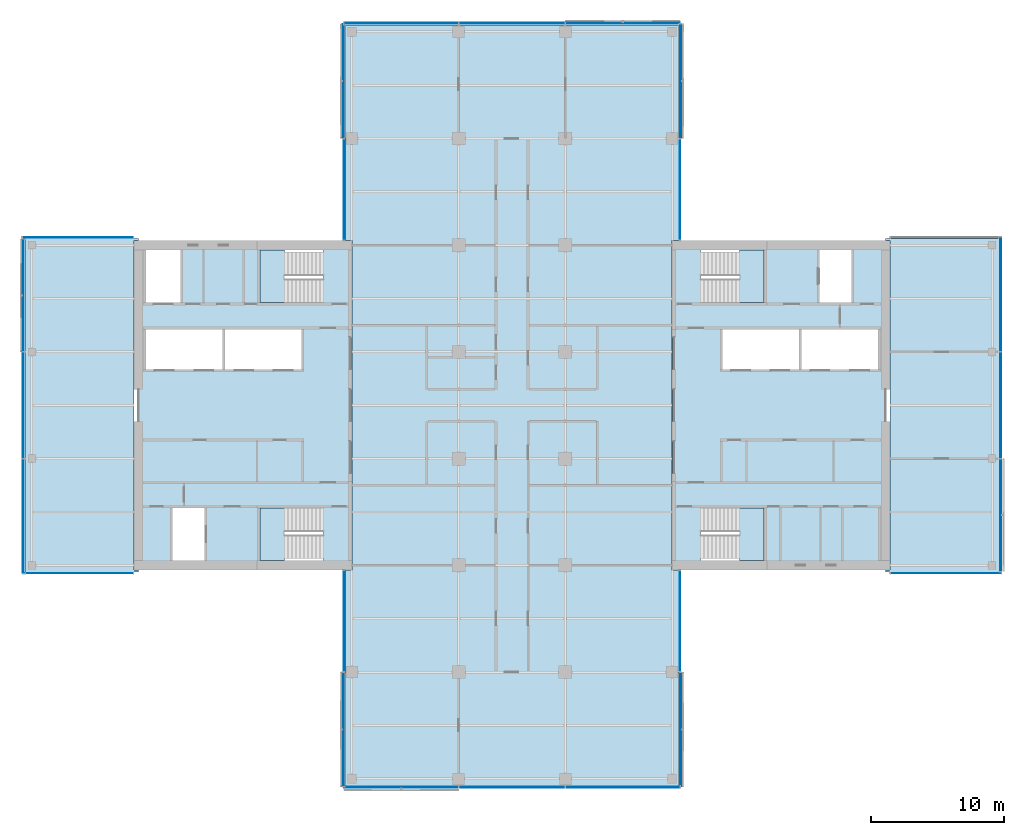
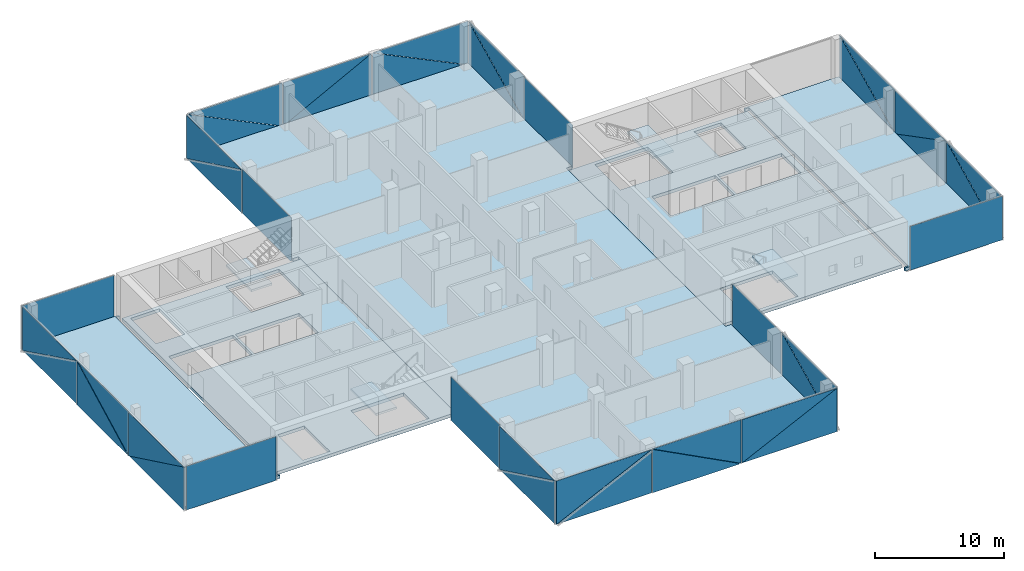
# One storey, part 12 of 22: 39 plates, 9 slabs, 19 elements without a shape of their own.
"""IFC4 building model written with IfcOpenShell, lengths in metres."""

from ifc_helpers import new_model, si_unit, direction, frame, origin, place, context, subcontext, project, spatial, polyline, outline, extrude, material, layer, layer_set, type_object, element, aggregate, save


model = new_model("IFC4")

# Units and contexts
model_context = context("Model", 3, precision=1e-05, world=origin(), true_north=direction((0.0, 1.0)))
body_context = subcontext(model_context, "Body", "Model", "MODEL_VIEW")
ifc_project = project(units=[si_unit("LENGTHUNIT", "METRE"), si_unit("AREAUNIT", "SQUARE_METRE"), si_unit("VOLUMEUNIT", "CUBIC_METRE"), si_unit("PLANEANGLEUNIT", "RADIAN"), si_unit("MASSUNIT", "GRAM", prefix="KILO")], contexts=[model_context])

# Site, building, storey
site_placement = place(None, origin())
site = spatial("IfcSite", under=ifc_project, at=site_placement, CompositionType="ELEMENT")
building_placement = place(site_placement, origin())
building = spatial("IfcBuilding", under=site, at=building_placement, Name="Crosswind Convention Tower", CompositionType="ELEMENT")
storey_placement = place(building_placement, frame((0.0, 0.0, 137.89990234375)))
storey = spatial("IfcBuildingStorey", under=building, at=storey_placement, Name="L28", CompositionType="ELEMENT", Elevation=137.89990234375)

# Slabs
ifc_material_1 = material(Name="Concrete C40/50", Category="concrete")
ifc_layer_1 = layer(ifc_material_1, 0.300048828125)
ifc_layer_set_1 = layer_set([ifc_layer_1], Name="Concrete C40/50")
slab_type_1 = type_object("IfcSlabType", Name="Composite floor slab 300", PredefinedType="FLOOR", material=ifc_layer_set_1)
slab_1_placement = place(storey_placement, frame((0.0, 0.0, -0.2998046875)))
element("IfcSlab", 1, at=slab_1_placement, inside=storey, type_object=slab_type_1, Name="Floor slab L28 part 1", PredefinedType="FLOOR", context=body_context, shape_type="SweptSolid", body=[
    extrude(outline(polyline([(97.0, 87.5), (89.0, 87.5), (88.5, 87.5), (88.5, 88.0), (88.5, 112.0), (88.5, 112.5), (89.0, 112.5), (97.0, 112.5), (97.0, 112.35009765625), (96.64990234375, 112.35009765625), (96.64990234375, 87.64990234375), (97.0, 87.64990234375), (97.0, 87.5)])), origin(), (0.0, 0.0, 1.0), 0.2998046875),
])
slab_2_placement = place(storey_placement, frame((0.0, 0.0, -0.2998046875)))
element("IfcSlab", 2, at=slab_2_placement, inside=storey, type_object=slab_type_1, Name="Floor slab L28 part 2", PredefinedType="FLOOR", context=body_context, shape_type="SweptSolid", body=[
    extrude(outline(polyline([(112.5, 87.64990234375), (113.0, 87.64990234375), (113.0, 112.35009765625), (112.5, 112.35009765625), (112.5, 128.0), (112.5, 128.5), (113.0, 128.5), (137.0, 128.5), (137.5, 128.5), (137.5, 128.0), (137.5, 112.35009765625), (137.0, 112.35009765625), (137.0, 87.64990234375), (137.5, 87.64990234375), (137.5, 72.0), (137.5, 71.5), (137.0, 71.5), (113.0, 71.5), (112.5, 71.5), (112.5, 72.0), (112.5, 87.64990234375)])), origin(), (0.0, 0.0, 1.0), 0.2998046875),
])
slab_3_placement = place(storey_placement, frame((0.0, 0.0, -0.2998046875)))
element("IfcSlab", 3, at=slab_3_placement, inside=storey, type_object=slab_type_1, Name="Floor slab L28 part 3", PredefinedType="FLOOR", context=body_context, shape_type="SweptSolid", body=[
    extrude(outline(polyline([(153.0, 112.5), (161.0, 112.5), (161.5, 112.5), (161.5, 112.0), (161.5, 88.0), (161.5, 87.5), (161.0, 87.5), (153.0, 87.5), (153.0, 87.64990234375), (153.35009765625, 87.64990234375), (153.35009765625, 112.35009765625), (153.0, 112.35009765625), (153.0, 112.5)])), origin(), (0.0, 0.0, 1.0), 0.2998046875),
])
ifc_layer_2 = layer(ifc_material_1, 0.300048828125)
ifc_layer_set_2 = layer_set([ifc_layer_2], Name="Concrete C40/50")
slab_type_2 = type_object("IfcSlabType", Name="Concrete core floor slab 300", PredefinedType="FLOOR", material=ifc_layer_set_2)
slab_4_placement = place(storey_placement, frame((0.0, 0.0, -0.2998046875)))
element("IfcSlab", 4, at=slab_4_placement, inside=storey, type_object=slab_type_2, Name="Core floor slab E L28", PredefinedType="FLOOR", context=body_context, shape_type="SweptSolid", body=[
    extrude(outline(polyline([(137.0, 88.0), (153.0, 88.0), (153.0, 112.0), (137.0, 112.0), (137.0, 88.0)]), holes=[polyline([(146.5, 102.699951171875), (146.5, 105.699951171875), (140.800048828125, 105.699951171875), (140.800048828125, 102.699951171875), (146.5, 102.699951171875)]), polyline([(152.449951171875, 102.699951171875), (152.449951171875, 105.699951171875), (146.699951171875, 105.699951171875), (146.699951171875, 102.699951171875), (152.449951171875, 102.699951171875)]), polyline([(150.449951171875, 107.699951171875), (150.449951171875, 111.64990234375), (148.050048828125, 111.64990234375), (148.050048828125, 107.699951171875), (150.449951171875, 107.699951171875)]), polyline([(143.89990234375, 107.699951171875), (143.89990234375, 111.64990234375), (139.14990234375, 111.64990234375), (139.14990234375, 107.699951171875), (143.89990234375, 107.699951171875)]), polyline([(143.89990234375, 88.35009765625), (143.89990234375, 92.300048828125), (139.14990234375, 92.300048828125), (139.14990234375, 88.35009765625), (143.89990234375, 88.35009765625)])]), origin(), (0.0, 0.0, 1.0), 0.2998046875),
])
slab_5_placement = place(storey_placement, frame((0.0, 0.0, -0.2998046875)))
element("IfcSlab", 5, at=slab_5_placement, inside=storey, type_object=slab_type_2, Name="Core floor slab W L28", PredefinedType="FLOOR", context=body_context, shape_type="SweptSolid", body=[
    extrude(outline(polyline([(97.0, 88.0), (113.0, 88.0), (113.0, 112.0), (97.0, 112.0), (97.0, 88.0)]), holes=[polyline([(109.199951171875, 102.699951171875), (109.199951171875, 105.699951171875), (103.5, 105.699951171875), (103.5, 102.699951171875), (109.199951171875, 102.699951171875)]), polyline([(103.300048828125, 102.699951171875), (103.300048828125, 105.699951171875), (97.550048828125, 105.699951171875), (97.550048828125, 102.699951171875), (103.300048828125, 102.699951171875)]), polyline([(101.949951171875, 88.35009765625), (101.949951171875, 92.300048828125), (99.550048828125, 92.300048828125), (99.550048828125, 88.35009765625), (101.949951171875, 88.35009765625)]), polyline([(100.14990234375, 107.699951171875), (100.14990234375, 111.64990234375), (97.550048828125, 111.64990234375), (97.550048828125, 107.699951171875), (100.14990234375, 107.699951171875)]), polyline([(110.85009765625, 88.35009765625), (110.85009765625, 92.300048828125), (106.10009765625, 92.300048828125), (106.10009765625, 88.35009765625), (110.85009765625, 88.35009765625)]), polyline([(110.85009765625, 107.699951171875), (110.85009765625, 111.64990234375), (106.10009765625, 111.64990234375), (106.10009765625, 107.699951171875), (110.85009765625, 107.699951171875)])]), origin(), (0.0, 0.0, 1.0), 0.2998046875),
])

# Stair, slab
stair_type = type_object("IfcStairType", Name="Exit stair 1800 wide, 2 flights of 11 risers", PredefinedType="HALF_TURN_STAIR", material=ifc_material_1)
stair_1_placement = place(storey_placement, origin())
stair_1 = element("IfcStair", 6, at=stair_1_placement, inside=storey, type_object=stair_type, Name="Exit stair ST1 L28", ObjectType="ST5", PredefinedType="HALF_TURN_STAIR")
ifc_layer_3 = layer(ifc_material_1, 0.199951171875)
ifc_layer_set_3 = layer_set([ifc_layer_3], Name="Concrete C40/50")
slab_type_3 = type_object("IfcSlabType", Name="Stair landing 200", PredefinedType="LANDING", material=ifc_layer_set_3)
slab_6_placement = place(storey_placement, frame((0.0, 0.0, 1.900146484375)))
slab_6 = element("IfcSlab", 7, at=slab_6_placement, type_object=slab_type_3, Name="ST1 landing 1", PredefinedType="LANDING", context=body_context, shape_type="SweptSolid", body=[
    extrude(outline(polyline([(143.89990234375, 107.699951171875), (143.89990234375, 111.64990234375), (142.050048828125, 111.64990234375), (142.050048828125, 107.699951171875), (143.89990234375, 107.699951171875)])), origin(), (0.0, 0.0, 1.0), 0.199951171875),
])
aggregate(stair_1, [slab_6])

stair_2_placement = place(storey_placement, origin())
stair_2 = element("IfcStair", 8, at=stair_2_placement, inside=storey, type_object=stair_type, Name="Exit stair ST2 L28", ObjectType="ST5", PredefinedType="HALF_TURN_STAIR")
slab_7_placement = place(storey_placement, frame((0.0, 0.0, 1.900146484375)))
slab_7 = element("IfcSlab", 9, at=slab_7_placement, type_object=slab_type_3, Name="ST2 landing 1", PredefinedType="LANDING", context=body_context, shape_type="SweptSolid", body=[
    extrude(outline(polyline([(143.89990234375, 88.35009765625), (143.89990234375, 92.300048828125), (142.050048828125, 92.300048828125), (142.050048828125, 88.35009765625), (143.89990234375, 88.35009765625)])), origin(), (0.0, 0.0, 1.0), 0.199951171875),
])
aggregate(stair_2, [slab_7])

stair_3_placement = place(storey_placement, origin())
stair_3 = element("IfcStair", 10, at=stair_3_placement, inside=storey, type_object=stair_type, Name="Exit stair ST3 L28", ObjectType="ST5", PredefinedType="HALF_TURN_STAIR")
slab_8_placement = place(storey_placement, frame((0.0, 0.0, 1.900146484375)))
slab_8 = element("IfcSlab", 11, at=slab_8_placement, type_object=slab_type_3, Name="ST3 landing 1", PredefinedType="LANDING", context=body_context, shape_type="SweptSolid", body=[
    extrude(outline(polyline([(107.949951171875, 88.35009765625), (107.949951171875, 92.300048828125), (106.10009765625, 92.300048828125), (106.10009765625, 88.35009765625), (107.949951171875, 88.35009765625)])), origin(), (0.0, 0.0, 1.0), 0.199951171875),
])
aggregate(stair_3, [slab_8])

stair_4_placement = place(storey_placement, origin())
stair_4 = element("IfcStair", 12, at=stair_4_placement, inside=storey, type_object=stair_type, Name="Exit stair ST4 L28", ObjectType="ST5", PredefinedType="HALF_TURN_STAIR")
slab_9_placement = place(storey_placement, frame((0.0, 0.0, 1.900146484375)))
slab_9 = element("IfcSlab", 13, at=slab_9_placement, type_object=slab_type_3, Name="ST4 landing 1", PredefinedType="LANDING", context=body_context, shape_type="SweptSolid", body=[
    extrude(outline(polyline([(107.949951171875, 107.699951171875), (107.949951171875, 111.64990234375), (106.10009765625, 111.64990234375), (106.10009765625, 107.699951171875), (107.949951171875, 107.699951171875)])), origin(), (0.0, 0.0, 1.0), 0.199951171875),
])
aggregate(stair_4, [slab_9])

# Curtain wall, plate
ifc_material_2 = material(Name="Aluminium unitised curtain wall", Category="aluminium")
curtain_wall_type_1 = type_object("IfcCurtainWallType", Name="CORE END SLOT WALL 160", PredefinedType="USERDEFINED", material=ifc_material_2)
curtain_wall_1_placement = place(storey_placement, origin())
curtain_wall_1 = element("IfcCurtainWall", 14, at=curtain_wall_1_placement, inside=storey, type_object=curtain_wall_type_1, Name="CW6 L28 N-E.1-1 slot", ObjectType="UNITISED", PredefinedType="USERDEFINED")
ifc_material_3 = material(Name="Laminated insulating glass unit", Category="glass")
ifc_layer_4 = layer(ifc_material_3, 0.02587890625)
ifc_layer_set_4 = layer_set([ifc_layer_4], Name="TRIANGULAR GLASS PANEL 26")
plate_type_1 = type_object("IfcPlateType", Name="TRIANGULAR GLASS PANEL 26", PredefinedType="CURTAIN_PANEL", material=ifc_layer_set_4)
plate_1_placement = place(storey_placement, frame((137.60693359375, 112.39990234375, -0.2998046875), z_axis=(0.999999915205, 0.0, 0.00041181312), x_axis=(0.0, 1.0, 0.0)))
plate_1 = element("IfcPlate", 15, at=plate_1_placement, type_object=plate_type_1, Name="CW6 panel 1.1", PredefinedType="CURTAIN_PANEL", context=body_context, shape_type="SweptSolid", body=[
    extrude(outline(polyline([(0.0, 0.0), (7.550048828125, 0.0), (7.550048828125, 4.149902695641108), (0.0, 4.149902695641108), (0.0, 0.0)])), origin(), (0.0, 0.0, -1.0), 0.02587890625),
])
aggregate(curtain_wall_1, [plate_1])

curtain_wall_2_placement = place(storey_placement, origin())
curtain_wall_2 = element("IfcCurtainWall", 16, at=curtain_wall_2_placement, inside=storey, type_object=curtain_wall_type_1, Name="CW6 L28 N-W.1-2 slot", ObjectType="UNITISED", PredefinedType="USERDEFINED")
plate_2_placement = place(storey_placement, frame((112.39306640625, 119.949951171875, -0.2998046875), z_axis=(-0.999999915205, 0.0, 0.00041181312), x_axis=(0.0, -1.0, 0.0)))
plate_2 = element("IfcPlate", 17, at=plate_2_placement, type_object=plate_type_1, Name="CW6 panel 1.1", PredefinedType="CURTAIN_PANEL", context=body_context, shape_type="SweptSolid", body=[
    extrude(outline(polyline([(0.0, 0.0), (7.550048828125, 0.0), (7.550048828125, 4.149902695641108), (0.0, 4.149902695641108), (0.0, 0.0)])), origin(), (0.0, 0.0, -1.0), 0.02587890625),
])
aggregate(curtain_wall_2, [plate_2])

curtain_wall_3_placement = place(storey_placement, origin())
curtain_wall_3 = element("IfcCurtainWall", 18, at=curtain_wall_3_placement, inside=storey, type_object=curtain_wall_type_1, Name="CW6 L28 W-N.2-1 slot", ObjectType="UNITISED", PredefinedType="USERDEFINED")
plate_3_placement = place(storey_placement, frame((96.60009765625, 112.60693359375, -0.2998046875), z_axis=(0.0, 0.999999915205, 0.00041181312), x_axis=(-1.0, 0.0, 0.0)))
plate_3 = element("IfcPlate", 19, at=plate_3_placement, type_object=plate_type_1, Name="CW6 panel 1.1", PredefinedType="CURTAIN_PANEL", context=body_context, shape_type="SweptSolid", body=[
    extrude(outline(polyline([(0.0, 0.0), (8.27001953125, 0.0), (8.27001953125, 4.149902695641109), (0.0, 4.149902695641109), (0.0, 0.0)])), origin(), (0.0, 0.0, -1.0), 0.02587890625),
])
aggregate(curtain_wall_3, [plate_3])

curtain_wall_4_placement = place(storey_placement, origin())
curtain_wall_4 = element("IfcCurtainWall", 20, at=curtain_wall_4_placement, inside=storey, type_object=curtain_wall_type_1, Name="CW6 L28 W-S.1-1 slot", ObjectType="UNITISED", PredefinedType="USERDEFINED")
plate_4_placement = place(storey_placement, frame((88.550048828125, 87.39306640625, -0.2998046875), z_axis=(0.0, -0.999999915205, 0.00041181312), x_axis=(1.0, 0.0, 0.0)))
plate_4 = element("IfcPlate", 21, at=plate_4_placement, type_object=plate_type_1, Name="CW6 panel 1.1", PredefinedType="CURTAIN_PANEL", context=body_context, shape_type="SweptSolid", body=[
    extrude(outline(polyline([(0.0, 0.0), (8.050048828125, 0.0), (8.050048828125, 4.149902695641108), (0.0, 4.149902695641108), (0.0, 0.0)])), origin(), (0.0, 0.0, -1.0), 0.02587890625),
])
aggregate(curtain_wall_4, [plate_4])

curtain_wall_5_placement = place(storey_placement, origin())
curtain_wall_5 = element("IfcCurtainWall", 22, at=curtain_wall_5_placement, inside=storey, type_object=curtain_wall_type_1, Name="CW6 L28 S-W.1-1 slot", ObjectType="UNITISED", PredefinedType="USERDEFINED")
plate_5_placement = place(storey_placement, frame((112.39306640625, 87.60009765625, -0.2998046875), z_axis=(-0.999999915205, 0.0, 0.00041181312), x_axis=(0.0, -1.0, 0.0)))
plate_5 = element("IfcPlate", 23, at=plate_5_placement, type_object=plate_type_1, Name="CW6 panel 1.1", PredefinedType="CURTAIN_PANEL", context=body_context, shape_type="SweptSolid", body=[
    extrude(outline(polyline([(0.0, 0.0), (7.550048828125, 0.0), (7.550048828125, 4.149902695641108), (0.0, 4.149902695641108), (0.0, 0.0)])), origin(), (0.0, 0.0, -1.0), 0.02587890625),
])
aggregate(curtain_wall_5, [plate_5])

curtain_wall_6_placement = place(storey_placement, origin())
curtain_wall_6 = element("IfcCurtainWall", 24, at=curtain_wall_6_placement, inside=storey, type_object=curtain_wall_type_1, Name="CW6 L28 S-E.1-2 slot", ObjectType="UNITISED", PredefinedType="USERDEFINED")
plate_6_placement = place(storey_placement, frame((137.60693359375, 80.050048828125, -0.2998046875), z_axis=(0.999999915205, 0.0, 0.00041181312), x_axis=(0.0, 1.0, 0.0)))
plate_6 = element("IfcPlate", 25, at=plate_6_placement, type_object=plate_type_1, Name="CW6 panel 1.1", PredefinedType="CURTAIN_PANEL", context=body_context, shape_type="SweptSolid", body=[
    extrude(outline(polyline([(0.0, 0.0), (7.550048828125, 0.0), (7.550048828125, 4.149902695641108), (0.0, 4.149902695641108), (0.0, 0.0)])), origin(), (0.0, 0.0, -1.0), 0.02587890625),
])
aggregate(curtain_wall_6, [plate_6])

curtain_wall_7_placement = place(storey_placement, origin())
curtain_wall_7 = element("IfcCurtainWall", 26, at=curtain_wall_7_placement, inside=storey, type_object=curtain_wall_type_1, Name="CW6 L28 E-S.2-1 slot", ObjectType="UNITISED", PredefinedType="USERDEFINED")
plate_7_placement = place(storey_placement, frame((153.39990234375, 87.39306640625, -0.2998046875), z_axis=(0.0, -0.999999915205, 0.00041181312), x_axis=(1.0, 0.0, 0.0)))
plate_7 = element("IfcPlate", 27, at=plate_7_placement, type_object=plate_type_1, Name="CW6 panel 1.1", PredefinedType="CURTAIN_PANEL", context=body_context, shape_type="SweptSolid", body=[
    extrude(outline(polyline([(0.0, 0.0), (8.27001953125, 0.0), (8.27001953125, 4.149902695641109), (0.0, 4.149902695641109), (0.0, 0.0)])), origin(), (0.0, 0.0, -1.0), 0.02587890625),
])
aggregate(curtain_wall_7, [plate_7])

# Curtain wall, plates
curtain_wall_type_2 = type_object("IfcCurtainWallType", Name="OFFICE UNITISED WALL 220", PredefinedType="USERDEFINED", material=ifc_material_2)
curtain_wall_8_placement = place(storey_placement, origin())
curtain_wall_8 = element("IfcCurtainWall", 28, at=curtain_wall_8_placement, inside=storey, type_object=curtain_wall_type_2, Name="CW3 L28 E-TIP 1", ObjectType="UNITISED", PredefinedType="USERDEFINED")
ifc_layer_5 = layer(ifc_material_3, 0.031982421875)
ifc_layer_set_5 = layer_set([ifc_layer_5], Name="TRIANGULAR GLASS PANEL 32")
plate_type_2 = type_object("IfcPlateType", Name="TRIANGULAR GLASS PANEL 32", PredefinedType="CURTAIN_PANEL", material=ifc_layer_set_5)
plate_8_placement = place(storey_placement, frame((161.642822265625, 95.965087890625, -0.2998046875), z_axis=(0.999999913913, 0.0, 0.000414937724), x_axis=(-0.000414937724, 0.0, 0.999999913913)))
plate_8 = element("IfcPlate", 29, at=plate_8_placement, type_object=plate_type_2, Name="CW3 panel 1.1", PredefinedType="CURTAIN_PANEL", context=body_context, shape_type="SweptSolid", body=[
    extrude(outline(polyline([(0.0, 0.0), (4.118652698311059, 0.0), (0.0, 8.372314453125), (0.0, 0.0)])), origin(), (0.0, 0.0, -1.0), 0.031982421875),
])
plate_9_placement = place(storey_placement, frame((161.67529296875, 87.570068359375, 3.830078125), z_axis=(0.99999993676, 0.0, 0.000355639833), x_axis=(0.000355639833, 0.0, -0.99999993676)))
plate_9 = element("IfcPlate", 30, at=plate_9_placement, type_object=plate_type_2, Name="CW3 panel 1.2", PredefinedType="CURTAIN_PANEL", context=body_context, shape_type="SweptSolid", body=[
    extrude(outline(polyline([(0.0, 0.0), (4.1188967448534015, 0.0), (0.0, 8.372314453125), (0.0, 0.0)])), origin(), (0.0, 0.0, -1.0), 0.031982421875),
])
plate_10_placement = place(storey_placement, frame((161.64111328125, 103.965087890625, 3.830078125), z_axis=(0.999999913913, 0.0, 0.000414937724), x_axis=(0.0, -1.0, 0.0)))
plate_10 = element("IfcPlate", 31, at=plate_10_placement, type_object=plate_type_2, Name="CW3 panel 2.1", PredefinedType="CURTAIN_PANEL", context=body_context, shape_type="SweptSolid", body=[
    extrude(outline(polyline([(0.0, 0.0), (7.908447265625, 0.0), (0.0, 4.118652698311059), (0.0, 0.0)])), origin(), (0.0, 0.0, -1.0), 0.031982421875),
])
plate_11_placement = place(storey_placement, frame((161.6767578125, 96.034912109375, -0.2998046875), z_axis=(0.999999936753, 0.0, 0.000355660914), x_axis=(0.0, 1.0, 0.0)))
plate_11 = element("IfcPlate", 32, at=plate_11_placement, type_object=plate_type_2, Name="CW3 panel 2.2", PredefinedType="CURTAIN_PANEL", context=body_context, shape_type="SweptSolid", body=[
    extrude(outline(polyline([(0.0, 0.0), (7.908447265625, 0.0), (0.0, 4.118652604243842), (0.0, 0.0)])), origin(), (0.0, 0.0, -1.0), 0.031982421875),
])
plate_12_placement = place(storey_placement, frame((161.642822265625, 112.590087890625, -0.2998046875), z_axis=(0.999999913924, 0.0, 0.000414913129), x_axis=(-0.000414913129, 0.0, 0.999999913924)))
plate_12 = element("IfcPlate", 33, at=plate_12_placement, type_object=plate_type_2, Name="CW3 panel 3.1", PredefinedType="CURTAIN_PANEL", context=body_context, shape_type="SweptSolid", body=[
    extrude(outline(polyline([(0.0, 0.0), (4.118896838915043, 0.0), (0.0, 8.531982421874998), (0.0, 0.0)])), origin(), (0.0, 0.0, -1.0), 0.031982421875),
])
plate_13_placement = place(storey_placement, frame((161.67529296875, 104.034912109375, 3.830078125), z_axis=(0.99999993676, 0.0, 0.000355639833), x_axis=(0.000355639833, 0.0, -0.99999993676)))
plate_13 = element("IfcPlate", 34, at=plate_13_placement, type_object=plate_type_2, Name="CW3 panel 3.2", PredefinedType="CURTAIN_PANEL", context=body_context, shape_type="SweptSolid", body=[
    extrude(outline(polyline([(0.0, 0.0), (4.1188967448534015, 0.0), (0.0, 8.531982421875), (0.0, 0.0)])), origin(), (0.0, 0.0, -1.0), 0.031982421875),
])
aggregate(curtain_wall_8, [plate_8, plate_9, plate_10, plate_11, plate_12, plate_13])

curtain_wall_9_placement = place(storey_placement, origin())
curtain_wall_9 = element("IfcCurtainWall", 35, at=curtain_wall_9_placement, inside=storey, type_object=curtain_wall_type_2, Name="CW3 L28 N-E 1", ObjectType="UNITISED", PredefinedType="USERDEFINED")
plate_14_placement = place(storey_placement, frame((137.642822265625, 128.574951171875, -0.2998046875), z_axis=(0.999999913924, 0.0, 0.000414913129), x_axis=(-0.000414913129, 0.0, 0.999999913924)))
plate_14 = element("IfcPlate", 36, at=plate_14_placement, type_object=plate_type_2, Name="CW3 panel 1.1", PredefinedType="CURTAIN_PANEL", context=body_context, shape_type="SweptSolid", body=[
    extrude(outline(polyline([(0.0, 0.0), (4.118896838915043, 0.0), (0.0, 8.517089843749998), (0.0, 0.0)])), origin(), (0.0, 0.0, -1.0), 0.031982421875),
])
plate_15_placement = place(storey_placement, frame((137.67529296875, 120.034912109375, 3.830078125), z_axis=(0.99999993676, 0.0, 0.000355639833), x_axis=(0.000355639833, 0.0, -0.99999993676)))
plate_15 = element("IfcPlate", 37, at=plate_15_placement, type_object=plate_type_2, Name="CW3 panel 1.2", PredefinedType="CURTAIN_PANEL", context=body_context, shape_type="SweptSolid", body=[
    extrude(outline(polyline([(0.0, 0.0), (4.1188967448534015, 0.0), (0.0, 8.51708984375), (0.0, 0.0)])), origin(), (0.0, 0.0, -1.0), 0.031982421875),
])
aggregate(curtain_wall_9, [plate_14, plate_15])

curtain_wall_10_placement = place(storey_placement, origin())
curtain_wall_10 = element("IfcCurtainWall", 38, at=curtain_wall_10_placement, inside=storey, type_object=curtain_wall_type_2, Name="CW3 L28 N-TIP 1", ObjectType="UNITISED", PredefinedType="USERDEFINED")
plate_16_placement = place(storey_placement, frame((129.034912109375, 128.642822265625, -0.2998046875), z_axis=(0.0, 0.999999913924, 0.000414913129), x_axis=(0.0, -0.000414913129, 0.999999913924)))
plate_16 = element("IfcPlate", 39, at=plate_16_placement, type_object=plate_type_2, Name="CW3 panel 1.1", PredefinedType="CURTAIN_PANEL", context=body_context, shape_type="SweptSolid", body=[
    extrude(outline(polyline([(0.0, 0.0), (4.118896838915043, 0.0), (0.0, 8.517089843749998), (0.0, 0.0)])), origin(), (0.0, 0.0, -1.0), 0.031982421875),
])
plate_17_placement = place(storey_placement, frame((137.574951171875, 128.67529296875, 3.830078125), z_axis=(0.0, 0.99999993676, 0.000355639833), x_axis=(0.0, 0.000355639833, -0.99999993676)))
plate_17 = element("IfcPlate", 40, at=plate_17_placement, type_object=plate_type_2, Name="CW3 panel 1.2", PredefinedType="CURTAIN_PANEL", context=body_context, shape_type="SweptSolid", body=[
    extrude(outline(polyline([(0.0, 0.0), (4.1188967448534015, 0.0), (0.0, 8.51708984375), (0.0, 0.0)])), origin(), (0.0, 0.0, -1.0), 0.031982421875),
])
plate_18_placement = place(storey_placement, frame((121.034912109375, 128.64111328125, 3.830078125), z_axis=(0.0, 0.999999913913, 0.000414937724), x_axis=(1.0, 0.0, 0.0)))
plate_18 = element("IfcPlate", 41, at=plate_18_placement, type_object=plate_type_2, Name="CW3 panel 2.1", PredefinedType="CURTAIN_PANEL", context=body_context, shape_type="SweptSolid", body=[
    extrude(outline(polyline([(0.0, 0.0), (7.908447265625, 0.0), (0.0, 4.118652698311059), (0.0, 0.0)])), origin(), (0.0, 0.0, -1.0), 0.031982421875),
])
plate_19_placement = place(storey_placement, frame((128.965087890625, 128.6767578125, -0.2998046875), z_axis=(0.0, 0.999999936753, 0.000355660914), x_axis=(-1.0, 0.0, 0.0)))
plate_19 = element("IfcPlate", 42, at=plate_19_placement, type_object=plate_type_2, Name="CW3 panel 2.2", PredefinedType="CURTAIN_PANEL", context=body_context, shape_type="SweptSolid", body=[
    extrude(outline(polyline([(0.0, 0.0), (7.908447265625, 0.0), (0.0, 4.118652604243842), (0.0, 0.0)])), origin(), (0.0, 0.0, -1.0), 0.031982421875),
])
plate_20_placement = place(storey_placement, frame((112.425048828125, 128.642822265625, -0.2998046875), z_axis=(0.0, 0.999999913924, 0.000414913129), x_axis=(0.0, -0.000414913129, 0.999999913924)))
plate_20 = element("IfcPlate", 43, at=plate_20_placement, type_object=plate_type_2, Name="CW3 panel 3.1", PredefinedType="CURTAIN_PANEL", context=body_context, shape_type="SweptSolid", body=[
    extrude(outline(polyline([(0.0, 0.0), (4.118896838915043, 0.0), (0.0, 8.517089843749998), (0.0, 0.0)])), origin(), (0.0, 0.0, -1.0), 0.031982421875),
])
plate_21_placement = place(storey_placement, frame((120.965087890625, 128.67529296875, 3.830078125), z_axis=(0.0, 0.99999993676, 0.000355639833), x_axis=(0.0, 0.000355639833, -0.99999993676)))
plate_21 = element("IfcPlate", 44, at=plate_21_placement, type_object=plate_type_2, Name="CW3 panel 3.2", PredefinedType="CURTAIN_PANEL", context=body_context, shape_type="SweptSolid", body=[
    extrude(outline(polyline([(0.0, 0.0), (4.1188967448534015, 0.0), (0.0, 8.51708984375), (0.0, 0.0)])), origin(), (0.0, 0.0, -1.0), 0.031982421875),
])
aggregate(curtain_wall_10, [plate_16, plate_17, plate_18, plate_19, plate_20, plate_21])

curtain_wall_11_placement = place(storey_placement, origin())
curtain_wall_11 = element("IfcCurtainWall", 45, at=curtain_wall_11_placement, inside=storey, type_object=curtain_wall_type_2, Name="CW3 L28 N-W 1", ObjectType="UNITISED", PredefinedType="USERDEFINED")
plate_22_placement = place(storey_placement, frame((112.357177734375, 120.034912109375, -0.2998046875), z_axis=(-0.999999913924, 0.0, 0.000414913129), x_axis=(0.000414913129, 0.0, 0.999999913924)))
plate_22 = element("IfcPlate", 46, at=plate_22_placement, type_object=plate_type_2, Name="CW3 panel 1.1", PredefinedType="CURTAIN_PANEL", context=body_context, shape_type="SweptSolid", body=[
    extrude(outline(polyline([(0.0, 0.0), (4.118896838915043, 0.0), (0.0, 8.517089843749998), (0.0, 0.0)])), origin(), (0.0, 0.0, -1.0), 0.031982421875),
])
plate_23_placement = place(storey_placement, frame((112.32470703125, 128.574951171875, 3.830078125), z_axis=(-0.99999993676, 0.0, 0.000355639833), x_axis=(-0.000355639833, 0.0, -0.99999993676)))
plate_23 = element("IfcPlate", 47, at=plate_23_placement, type_object=plate_type_2, Name="CW3 panel 1.2", PredefinedType="CURTAIN_PANEL", context=body_context, shape_type="SweptSolid", body=[
    extrude(outline(polyline([(0.0, 0.0), (4.1188967448534015, 0.0), (0.0, 8.51708984375), (0.0, 0.0)])), origin(), (0.0, 0.0, -1.0), 0.031982421875),
])
aggregate(curtain_wall_11, [plate_22, plate_23])

curtain_wall_12_placement = place(storey_placement, origin())
curtain_wall_12 = element("IfcCurtainWall", 48, at=curtain_wall_12_placement, inside=storey, type_object=curtain_wall_type_2, Name="CW3 L28 W-TIP 1", ObjectType="UNITISED", PredefinedType="USERDEFINED")
plate_24_placement = place(storey_placement, frame((88.357177734375, 104.034912109375, -0.2998046875), z_axis=(-0.999999913913, 0.0, 0.000414937724), x_axis=(0.000414937724, 0.0, 0.999999913913)))
plate_24 = element("IfcPlate", 49, at=plate_24_placement, type_object=plate_type_2, Name="CW3 panel 1.1", PredefinedType="CURTAIN_PANEL", context=body_context, shape_type="SweptSolid", body=[
    extrude(outline(polyline([(0.0, 0.0), (4.118652698311059, 0.0), (0.0, 8.372314453125), (0.0, 0.0)])), origin(), (0.0, 0.0, -1.0), 0.031982421875),
])
plate_25_placement = place(storey_placement, frame((88.32470703125, 112.429931640625, 3.830078125), z_axis=(-0.99999993676, 0.0, 0.000355639833), x_axis=(-0.000355639833, 0.0, -0.99999993676)))
plate_25 = element("IfcPlate", 50, at=plate_25_placement, type_object=plate_type_2, Name="CW3 panel 1.2", PredefinedType="CURTAIN_PANEL", context=body_context, shape_type="SweptSolid", body=[
    extrude(outline(polyline([(0.0, 0.0), (4.1188967448534015, 0.0), (0.0, 8.372314453125), (0.0, 0.0)])), origin(), (0.0, 0.0, -1.0), 0.031982421875),
])
plate_26_placement = place(storey_placement, frame((88.35888671875, 96.034912109375, 3.830078125), z_axis=(-0.999999913913, 0.0, 0.000414937724), x_axis=(0.0, 1.0, 0.0)))
plate_26 = element("IfcPlate", 51, at=plate_26_placement, type_object=plate_type_2, Name="CW3 panel 2.1", PredefinedType="CURTAIN_PANEL", context=body_context, shape_type="SweptSolid", body=[
    extrude(outline(polyline([(0.0, 0.0), (7.908447265625, 0.0), (0.0, 4.118652698311059), (0.0, 0.0)])), origin(), (0.0, 0.0, -1.0), 0.031982421875),
])
plate_27_placement = place(storey_placement, frame((88.3232421875, 103.965087890625, -0.2998046875), z_axis=(-0.999999936753, 0.0, 0.000355660914), x_axis=(0.0, -1.0, 0.0)))
plate_27 = element("IfcPlate", 52, at=plate_27_placement, type_object=plate_type_2, Name="CW3 panel 2.2", PredefinedType="CURTAIN_PANEL", context=body_context, shape_type="SweptSolid", body=[
    extrude(outline(polyline([(0.0, 0.0), (7.908447265625, 0.0), (0.0, 4.118652604243842), (0.0, 0.0)])), origin(), (0.0, 0.0, -1.0), 0.031982421875),
])
plate_28_placement = place(storey_placement, frame((88.357177734375, 87.409912109375, -0.2998046875), z_axis=(-0.999999913924, 0.0, 0.000414913129), x_axis=(0.000414913129, 0.0, 0.999999913924)))
plate_28 = element("IfcPlate", 53, at=plate_28_placement, type_object=plate_type_2, Name="CW3 panel 3.1", PredefinedType="CURTAIN_PANEL", context=body_context, shape_type="SweptSolid", body=[
    extrude(outline(polyline([(0.0, 0.0), (4.118896838915043, 0.0), (0.0, 8.531982421874998), (0.0, 0.0)])), origin(), (0.0, 0.0, -1.0), 0.031982421875),
])
plate_29_placement = place(storey_placement, frame((88.32470703125, 95.965087890625, 3.830078125), z_axis=(-0.99999993676, 0.0, 0.000355639833), x_axis=(-0.000355639833, 0.0, -0.99999993676)))
plate_29 = element("IfcPlate", 54, at=plate_29_placement, type_object=plate_type_2, Name="CW3 panel 3.2", PredefinedType="CURTAIN_PANEL", context=body_context, shape_type="SweptSolid", body=[
    extrude(outline(polyline([(0.0, 0.0), (4.1188967448534015, 0.0), (0.0, 8.531982421875), (0.0, 0.0)])), origin(), (0.0, 0.0, -1.0), 0.031982421875),
])
aggregate(curtain_wall_12, [plate_24, plate_25, plate_26, plate_27, plate_28, plate_29])

curtain_wall_13_placement = place(storey_placement, origin())
curtain_wall_13 = element("IfcCurtainWall", 55, at=curtain_wall_13_placement, inside=storey, type_object=curtain_wall_type_2, Name="CW3 L28 S-W 1", ObjectType="UNITISED", PredefinedType="USERDEFINED")
plate_30_placement = place(storey_placement, frame((112.357177734375, 71.425048828125, -0.2998046875), z_axis=(-0.999999913924, 0.0, 0.000414913129), x_axis=(0.000414913129, 0.0, 0.999999913924)))
plate_30 = element("IfcPlate", 56, at=plate_30_placement, type_object=plate_type_2, Name="CW3 panel 1.1", PredefinedType="CURTAIN_PANEL", context=body_context, shape_type="SweptSolid", body=[
    extrude(outline(polyline([(0.0, 0.0), (4.118896838915043, 0.0), (0.0, 8.517089843749998), (0.0, 0.0)])), origin(), (0.0, 0.0, -1.0), 0.031982421875),
])
plate_31_placement = place(storey_placement, frame((112.32470703125, 79.965087890625, 3.830078125), z_axis=(-0.99999993676, 0.0, 0.000355639833), x_axis=(-0.000355639833, 0.0, -0.99999993676)))
plate_31 = element("IfcPlate", 57, at=plate_31_placement, type_object=plate_type_2, Name="CW3 panel 1.2", PredefinedType="CURTAIN_PANEL", context=body_context, shape_type="SweptSolid", body=[
    extrude(outline(polyline([(0.0, 0.0), (4.1188967448534015, 0.0), (0.0, 8.51708984375), (0.0, 0.0)])), origin(), (0.0, 0.0, -1.0), 0.031982421875),
])
aggregate(curtain_wall_13, [plate_30, plate_31])

curtain_wall_14_placement = place(storey_placement, origin())
curtain_wall_14 = element("IfcCurtainWall", 58, at=curtain_wall_14_placement, inside=storey, type_object=curtain_wall_type_2, Name="CW3 L28 S-TIP 1", ObjectType="UNITISED", PredefinedType="USERDEFINED")
plate_32_placement = place(storey_placement, frame((120.965087890625, 71.357177734375, -0.2998046875), z_axis=(0.0, -0.999999913924, 0.000414913129), x_axis=(0.0, 0.000414913129, 0.999999913924)))
plate_32 = element("IfcPlate", 59, at=plate_32_placement, type_object=plate_type_2, Name="CW3 panel 1.1", PredefinedType="CURTAIN_PANEL", context=body_context, shape_type="SweptSolid", body=[
    extrude(outline(polyline([(0.0, 0.0), (4.118896838915043, 0.0), (0.0, 8.517089843749998), (0.0, 0.0)])), origin(), (0.0, 0.0, -1.0), 0.031982421875),
])
plate_33_placement = place(storey_placement, frame((112.425048828125, 71.32470703125, 3.830078125), z_axis=(0.0, -0.99999993676, 0.000355639833), x_axis=(0.0, -0.000355639833, -0.99999993676)))
plate_33 = element("IfcPlate", 60, at=plate_33_placement, type_object=plate_type_2, Name="CW3 panel 1.2", PredefinedType="CURTAIN_PANEL", context=body_context, shape_type="SweptSolid", body=[
    extrude(outline(polyline([(0.0, 0.0), (4.1188967448534015, 0.0), (0.0, 8.51708984375), (0.0, 0.0)])), origin(), (0.0, 0.0, -1.0), 0.031982421875),
])
plate_34_placement = place(storey_placement, frame((128.965087890625, 71.35888671875, 3.830078125), z_axis=(0.0, -0.999999913913, 0.000414937724), x_axis=(-1.0, 0.0, 0.0)))
plate_34 = element("IfcPlate", 61, at=plate_34_placement, type_object=plate_type_2, Name="CW3 panel 2.1", PredefinedType="CURTAIN_PANEL", context=body_context, shape_type="SweptSolid", body=[
    extrude(outline(polyline([(0.0, 0.0), (7.908447265625, 0.0), (0.0, 4.118652698311059), (0.0, 0.0)])), origin(), (0.0, 0.0, -1.0), 0.031982421875),
])
plate_35_placement = place(storey_placement, frame((121.034912109375, 71.3232421875, -0.2998046875), z_axis=(0.0, -0.999999936753, 0.000355660914), x_axis=(1.0, 0.0, 0.0)))
plate_35 = element("IfcPlate", 62, at=plate_35_placement, type_object=plate_type_2, Name="CW3 panel 2.2", PredefinedType="CURTAIN_PANEL", context=body_context, shape_type="SweptSolid", body=[
    extrude(outline(polyline([(0.0, 0.0), (7.908447265625, 0.0), (0.0, 4.118652604243842), (0.0, 0.0)])), origin(), (0.0, 0.0, -1.0), 0.031982421875),
])
plate_36_placement = place(storey_placement, frame((137.574951171875, 71.357177734375, -0.2998046875), z_axis=(0.0, -0.999999913924, 0.000414913129), x_axis=(0.0, 0.000414913129, 0.999999913924)))
plate_36 = element("IfcPlate", 63, at=plate_36_placement, type_object=plate_type_2, Name="CW3 panel 3.1", PredefinedType="CURTAIN_PANEL", context=body_context, shape_type="SweptSolid", body=[
    extrude(outline(polyline([(0.0, 0.0), (4.118896838915043, 0.0), (0.0, 8.517089843749998), (0.0, 0.0)])), origin(), (0.0, 0.0, -1.0), 0.031982421875),
])
plate_37_placement = place(storey_placement, frame((129.034912109375, 71.32470703125, 3.830078125), z_axis=(0.0, -0.99999993676, 0.000355639833), x_axis=(0.0, -0.000355639833, -0.99999993676)))
plate_37 = element("IfcPlate", 64, at=plate_37_placement, type_object=plate_type_2, Name="CW3 panel 3.2", PredefinedType="CURTAIN_PANEL", context=body_context, shape_type="SweptSolid", body=[
    extrude(outline(polyline([(0.0, 0.0), (4.1188967448534015, 0.0), (0.0, 8.51708984375), (0.0, 0.0)])), origin(), (0.0, 0.0, -1.0), 0.031982421875),
])
aggregate(curtain_wall_14, [plate_32, plate_33, plate_34, plate_35, plate_36, plate_37])

curtain_wall_15_placement = place(storey_placement, origin())
curtain_wall_15 = element("IfcCurtainWall", 65, at=curtain_wall_15_placement, inside=storey, type_object=curtain_wall_type_2, Name="CW3 L28 S-E 1", ObjectType="UNITISED", PredefinedType="USERDEFINED")
plate_38_placement = place(storey_placement, frame((137.642822265625, 79.965087890625, -0.2998046875), z_axis=(0.999999913924, 0.0, 0.000414913129), x_axis=(-0.000414913129, 0.0, 0.999999913924)))
plate_38 = element("IfcPlate", 66, at=plate_38_placement, type_object=plate_type_2, Name="CW3 panel 1.1", PredefinedType="CURTAIN_PANEL", context=body_context, shape_type="SweptSolid", body=[
    extrude(outline(polyline([(0.0, 0.0), (4.118896838915043, 0.0), (0.0, 8.517089843749998), (0.0, 0.0)])), origin(), (0.0, 0.0, -1.0), 0.031982421875),
])
plate_39_placement = place(storey_placement, frame((137.67529296875, 71.425048828125, 3.830078125), z_axis=(0.99999993676, 0.0, 0.000355639833), x_axis=(0.000355639833, 0.0, -0.99999993676)))
plate_39 = element("IfcPlate", 67, at=plate_39_placement, type_object=plate_type_2, Name="CW3 panel 1.2", PredefinedType="CURTAIN_PANEL", context=body_context, shape_type="SweptSolid", body=[
    extrude(outline(polyline([(0.0, 0.0), (4.1188967448534015, 0.0), (0.0, 8.51708984375), (0.0, 0.0)])), origin(), (0.0, 0.0, -1.0), 0.031982421875),
])
aggregate(curtain_wall_15, [plate_38, plate_39])

save(model, "model.ifc")
